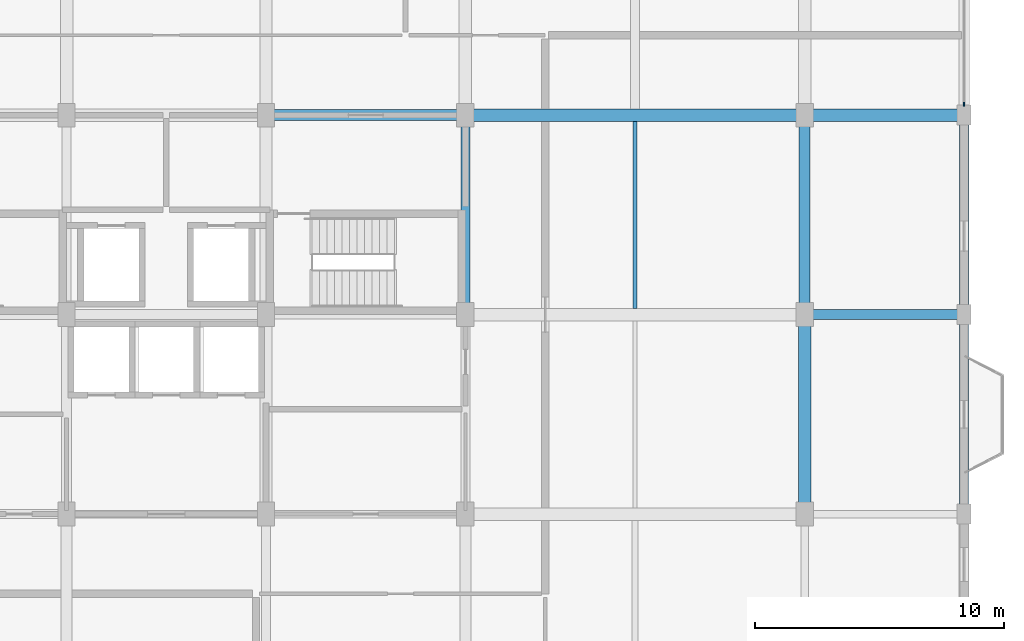
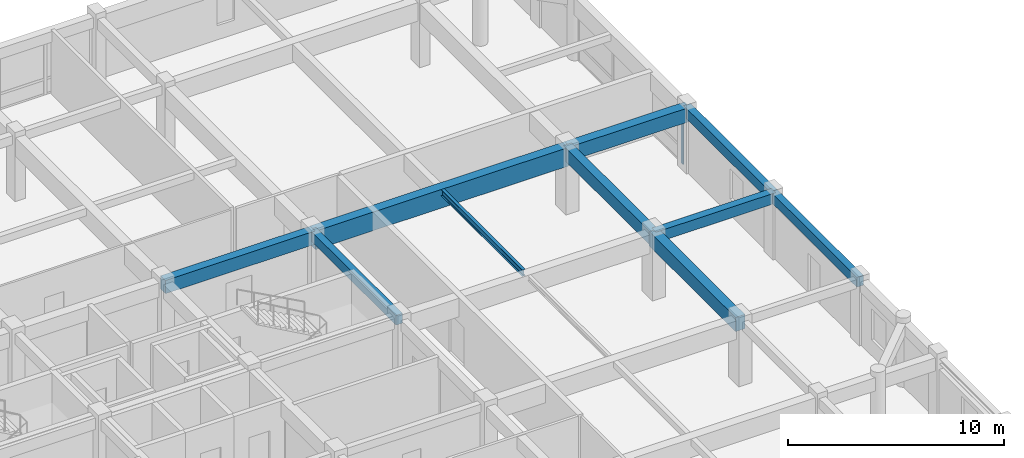
# One storey, part 5 of 15: 10 beams, 1 member, 1 element without a shape of its own.
"""IFC4 building model written with IfcOpenShell, lengths in metres."""

import ifcopenshell
import ifcopenshell.guid

model = None  # the IFC model being written
_history = None  # IfcOwnerHistory: only IFC2X3 demands one
_inside = {}  # id of a spatial element -> (the spatial element, [elements in it])
_under = {}  # id of a project, library or spatial element -> (it, [spatial elements below it])
_declared = {}  # id of a project -> (the project, [libraries it declares])
_typed = {}  # id of a type object -> (the type object, [elements of that type])
_made_of = {}  # id of a material, layer set ... -> (it, [elements and type objects made of it])


def new_model(schema):
    """Start an empty IFC model of exactly this schema.

    Asked for "IFC4X3", IfcOpenShell would pick the latest addendum, in which some entities
    have other attributes; the version numbers below select the first issue.
    IFC2X3 requires an IfcOwnerHistory on every rooted entity: one is made here for all.
    """
    global model, _history
    if schema == "IFC4X3":
        model = ifcopenshell.file(schema_version=(4, 3, 0, 0))
    else:
        model = ifcopenshell.file(schema=schema)
    _inside.clear()
    _under.clear()
    _declared.clear()
    _typed.clear()
    _made_of.clear()
    _history = None
    if model.schema == "IFC2X3":
        org = make("IfcOrganization", Name="unknown")
        user = make(
            "IfcPersonAndOrganization",
            ThePerson=make("IfcPerson", FamilyName="unknown"),
            TheOrganization=org,
        )
        app = make(
            "IfcApplication",
            ApplicationDeveloper=org,
            Version="unknown",
            ApplicationFullName="unknown",
            ApplicationIdentifier="unknown",
        )
        _history = make(
            "IfcOwnerHistory",
            OwningUser=user,
            OwningApplication=app,
            ChangeAction="ADDED",
            CreationDate=0,
        )
    return model


def make(cls, **values):
    """One entity of the class cls with the attributes given. An attribute that is None is left unset."""
    return model.create_entity(
        cls, **{name: value for name, value in values.items() if value is not None}
    )


def rooted(cls, **values):
    """An entity with a GlobalId (a new one), such as an element, a storey or a relation."""
    return make(cls, GlobalId=ifcopenshell.guid.new(), OwnerHistory=_history, **values)


def si_unit(unit_type, name, prefix=None):
    """IfcSIUnit, for example si_unit("LENGTHUNIT", "METRE", prefix="MILLI")."""
    return make("IfcSIUnit", UnitType=unit_type, Prefix=prefix, Name=name)


def assignment(units):
    """IfcUnitAssignment: the units of a project."""
    return None if units is None else make("IfcUnitAssignment", Units=units)


def point(xyz):
    """IfcCartesianPoint."""
    return None if xyz is None else make("IfcCartesianPoint", Coordinates=xyz)


def direction(xyz):
    """IfcDirection."""
    return None if xyz is None else make("IfcDirection", DirectionRatios=xyz)


def frame(location, z_axis=None, x_axis=None):
    """IfcAxis2Placement3D, a coordinate frame: its origin and axes. An axis left out is left unset."""
    return make(
        "IfcAxis2Placement3D",
        Location=point(location),
        Axis=direction(z_axis),
        RefDirection=direction(x_axis),
    )


def frame_2d(location, x_axis=None):
    """IfcAxis2Placement2D, a coordinate frame in the plane: its origin and x axis."""
    return make(
        "IfcAxis2Placement2D", Location=point(location), RefDirection=direction(x_axis)
    )


def origin():
    """The frame at (0, 0, 0) with its axes left unset."""
    return frame((0.0, 0.0, 0.0))


def origin_2d():
    """The frame at (0, 0) in the plane with its x axis left unset."""
    return frame_2d((0.0, 0.0))


def place(relative_to, where):
    """IfcLocalPlacement: puts the frame where relative to a parent placement (None: the world)."""
    return make(
        "IfcLocalPlacement", PlacementRelTo=relative_to, RelativePlacement=where
    )


def context(
    kind, dimensions, precision=None, world=None, true_north=None, identifier=None
):
    """IfcGeometricRepresentationContext, for example the 3D "Model" context."""
    return make(
        "IfcGeometricRepresentationContext",
        ContextIdentifier=identifier,
        ContextType=kind,
        CoordinateSpaceDimension=dimensions,
        Precision=precision,
        WorldCoordinateSystem=world,
        TrueNorth=true_north,
    )


def subcontext(parent, identifier, kind, view, scale=None):
    """IfcGeometricRepresentationSubContext, for example "Body" below "Model"."""
    return make(
        "IfcGeometricRepresentationSubContext",
        ContextIdentifier=identifier,
        ContextType=kind,
        ParentContext=parent,
        TargetScale=scale,
        TargetView=view,
    )


def project(units=None, contexts=None):
    """IfcProject with its units and contexts."""
    return rooted(
        "IfcProject",
        Name="project",
        RepresentationContexts=contexts,
        UnitsInContext=assignment(units),
    )


def spatial(cls, under=None, at=None, **own):
    """A site, building, storey or space (cls), placed at a placement, below another one or the project."""
    s = rooted(cls, ObjectPlacement=at, **own)
    if under is not None:
        _under.setdefault(under.id(), (under, []))[1].append(s)
    return s


def profile(cls, at=None, kind="AREA", **sizes):
    """A parametric profile (cls). Its sizes go by their IFC names, for example OverallWidth=200.0."""
    return make(cls, ProfileType=kind, Position=at, **sizes)


def rectangle(**sizes):
    """IfcRectangleProfileDef."""
    return profile("IfcRectangleProfileDef", **sizes)


def i_section(**sizes):
    """IfcIShapeProfileDef."""
    return profile("IfcIShapeProfileDef", **sizes)


def extrude(swept, where, along, depth):
    """IfcExtrudedAreaSolid: the profile swept, set in the frame where, extruded along a direction by depth."""
    return make(
        "IfcExtrudedAreaSolid",
        SweptArea=swept,
        Position=where,
        ExtrudedDirection=direction(along),
        Depth=depth,
    )


def shape(context_of_items, identifier, shape_type, items):
    """IfcShapeRepresentation: the items that make up one representation, for example the "Body"."""
    return make(
        "IfcShapeRepresentation",
        ContextOfItems=context_of_items,
        RepresentationIdentifier=identifier,
        RepresentationType=shape_type,
        Items=items,
    )


def material(Name=None, Category=None):
    """IfcMaterial."""
    return make("IfcMaterial", Name=Name, Category=Category)


def material_profile(
    of_material, cross_section, Name=None, Category=None, Priority=None
):
    """IfcMaterialProfile: a cross section and its material."""
    return make(
        "IfcMaterialProfile",
        Name=Name,
        Material=of_material,
        Profile=cross_section,
        Priority=Priority,
        Category=Category,
    )


def profile_set(profiles, Name=None, composite=None):
    """IfcMaterialProfileSet."""
    return make(
        "IfcMaterialProfileSet",
        Name=Name,
        MaterialProfiles=profiles,
        CompositeProfile=composite,
    )


def made_of(thing, what):
    """Note that an element or type object is made of a material, layer set ...; save() writes the relation."""
    if what is not None:
        _made_of.setdefault(what.id(), (what, []))[1].append(thing)
    return thing


def type_object(cls, material=None, **own):
    """A type object (cls), such as IfcWallType, which elements share."""
    return made_of(rooted(cls, **own), material)


def element(
    cls,
    number,
    at=None,
    inside=None,
    cuts=None,
    type_object=None,
    material=None,
    context=None,
    identifier="Body",
    shape_type=None,
    held_by="IfcProductDefinitionShape",
    body=None,
    shapes=None,
    **own,
):
    """One element of the class cls, such as IfcWall. Its Tag is "e" and its number.

    at: its placement. inside: the storey or other place that contains it. cuts: it is an
    opening in that element (IfcRelVoidsElement). A single representation is given by context,
    identifier, shape_type and body (its items); several are given by shapes. held_by: the class
    of the entity that holds the representations. save() writes the other relations.
    """
    e = rooted(cls, Tag="e%d" % number, ObjectPlacement=at, **own)
    if body is not None:
        shapes = [shape(context, identifier, shape_type, body)]
    if shapes is not None:
        e.Representation = make(held_by, Representations=shapes)
    if inside is not None:
        _inside.setdefault(inside.id(), (inside, []))[1].append(e)
    if cuts is not None:
        rooted(
            "IfcRelVoidsElement", RelatingBuildingElement=cuts, RelatedOpeningElement=e
        )
    if type_object is not None:
        _typed.setdefault(type_object.id(), (type_object, []))[1].append(e)
    return made_of(e, material)


def aggregate(whole, parts):
    """IfcRelAggregates: a whole, such as a stair, and the parts it consists of."""
    return rooted("IfcRelAggregates", RelatingObject=whole, RelatedObjects=parts)


def save(model, path):
    """Write the relations noted so far, then the file.

    IfcRelAggregates (storeys below a building ...), IfcRelContainedInSpatialStructure (elements
    in a storey), IfcRelDefinesByType, IfcRelAssociatesMaterial and IfcRelDeclares: one each for
    every whole, place, type object, material and project.
    """
    for whole, parts in _under.values():
        aggregate(whole, parts)
    for where, things in _inside.values():
        rooted(
            "IfcRelContainedInSpatialStructure",
            RelatedElements=things,
            RelatingStructure=where,
        )
    for kind, things in _typed.values():
        rooted("IfcRelDefinesByType", RelatedObjects=things, RelatingType=kind)
    for what, things in _made_of.values():
        rooted("IfcRelAssociatesMaterial", RelatedObjects=things, RelatingMaterial=what)
    for by, libraries in _declared.values():
        rooted("IfcRelDeclares", RelatingContext=by, RelatedDefinitions=libraries)
    model.write(path)


model = new_model("IFC4")

# Units and contexts
model_context = context("Model", 3, precision=1e-05, world=origin(), true_north=direction((0.0, 1.0)))
body_context = subcontext(model_context, "Body", "Model", "MODEL_VIEW")
ifc_project = project(units=[si_unit("LENGTHUNIT", "METRE"), si_unit("AREAUNIT", "SQUARE_METRE"), si_unit("VOLUMEUNIT", "CUBIC_METRE"), si_unit("PLANEANGLEUNIT", "RADIAN"), si_unit("MASSUNIT", "GRAM", prefix="KILO")], contexts=[model_context])

# Site, building, storey
site_placement = place(None, origin())
site = spatial("IfcSite", under=ifc_project, at=site_placement, CompositionType="ELEMENT")
building_placement = place(site_placement, origin())
building = spatial("IfcBuilding", under=site, at=building_placement, Name="Vellmiral Cinema and Media Centre", CompositionType="ELEMENT")
storey_placement = place(building_placement, frame((0.0, 0.0, 35.60009765625)))
storey = spatial("IfcBuildingStorey", under=building, at=storey_placement, Name="L08", CompositionType="ELEMENT", Elevation=35.60009765625)

# Beams
ifc_material_1 = material(Name="Concrete C40/50", Category="concrete")
ifc_material_profile_1 = material_profile(ifc_material_1, rectangle(XDim=0.35009765625, YDim=0.550048828125, at=origin_2d()), Name="RC 350x550")
ifc_profile_set_1 = profile_set([ifc_material_profile_1], Name="Concrete C40/50")
beam_type_1 = type_object("IfcBeamType", Name="BM-RC-350x550", PredefinedType="BEAM", material=ifc_profile_set_1)
beam_1_placement = place(storey_placement, frame((148.0, 87.199951171875, 3.31982421875), z_axis=(0.0, 1.0, 0.0), x_axis=(-1.0, 0.0, 0.0)))
element("IfcBeam", 1, at=beam_1_placement, inside=storey, type_object=beam_type_1, Name="Grid Beam L08-Y082", PredefinedType="BEAM", context=body_context, shape_type="SweptSolid", body=[
    extrude(rectangle(XDim=0.35009765625, YDim=0.550048828125, at=origin_2d()), origin(), (0.0, 0.0, 1.0), 8.0),
])
ifc_material_2 = material(Name="Concrete C40/50", Category="concrete")
ifc_material_profile_2 = material_profile(ifc_material_2, rectangle(XDim=0.39990234375, YDim=0.60009765625, at=origin_2d()), Name="RC 400x600")
ifc_profile_set_2 = profile_set([ifc_material_profile_2], Name="Concrete C40/50")
beam_type_2 = type_object("IfcBeamType", Name="BM-RC-400x600", PredefinedType="BEAM", material=ifc_profile_set_2)
beam_2_placement = place(storey_placement, frame((161.60009765625, 87.199951171875, 3.294921875), z_axis=(1.0, 0.0, 0.0), x_axis=(0.0, 1.0, 0.0)))
element("IfcBeam", 2, at=beam_2_placement, inside=storey, type_object=beam_type_2, Name="Grid Beam L08-X028", PredefinedType="BEAM", context=body_context, shape_type="SweptSolid", body=[
    extrude(rectangle(XDim=0.39990234375, YDim=0.60009765625, at=origin_2d()), origin(), (0.0, 0.0, 1.0), 6.39990234375),
])
ifc_material_3 = material(Name="Concrete C40/50", Category="concrete")
ifc_material_profile_3 = material_profile(ifc_material_3, rectangle(XDim=0.449951171875, YDim=0.75, at=origin_2d()), Name="RC 450x750")
ifc_profile_set_3 = profile_set([ifc_material_profile_3], Name="Concrete C40/50")
beam_type_3 = type_object("IfcBeamType", Name="BM-RC-450x750", PredefinedType="BEAM", material=ifc_profile_set_3)
for number, where, z_axis, x_axis, name in (
    (3, (140.0, 95.199951171875, 3.219970703125), (1.0, 0.0, 0.0), (0.0, 1.0, 0.0), "Grid Beam L08-X033"),
    (4, (161.60009765625, 87.199951171875, 3.219970703125), (0.0, 1.0, 0.0), (-1.0, 0.0, 0.0), "Grid Beam L08-Y088"),
):
    element("IfcBeam", number, at=place(storey_placement, frame(where, z_axis=z_axis, x_axis=x_axis)), inside=storey, type_object=beam_type_3, Name=name, PredefinedType="BEAM", context=body_context, shape_type="SweptSolid", body=[
        extrude(rectangle(XDim=0.449951171875, YDim=0.75, at=origin_2d()), origin(), (0.0, 0.0, 1.0), 8.0),
    ])
ifc_material_4 = material(Name="Concrete C40/50", Category="concrete")
ifc_material_profile_4 = material_profile(ifc_material_4, rectangle(XDim=0.5, YDim=0.800048828125, at=origin_2d()), Name="RC 500x800")
ifc_profile_set_4 = profile_set([ifc_material_profile_4], Name="Concrete C40/50")
beam_type_4 = type_object("IfcBeamType", Name="BM-RC-500x800", PredefinedType="BEAM", material=ifc_profile_set_4)
beam_3_placement = place(storey_placement, frame((161.60009765625, 95.199951171875, 3.19482421875), z_axis=(1.0, 0.0, 0.0), x_axis=(0.0, 1.0, 0.0)))
element("IfcBeam", 5, at=beam_3_placement, inside=storey, type_object=beam_type_4, Name="Grid Beam L08-X035", PredefinedType="BEAM", context=body_context, shape_type="SweptSolid", body=[
    extrude(rectangle(XDim=0.5, YDim=0.800048828125, at=origin_2d()), origin(), (0.0, 0.0, 1.0), 6.39990234375),
])
beam_4_placement = place(storey_placement, frame((161.60009765625, 79.199951171875, 3.19482421875), z_axis=(0.0, 1.0, 0.0), x_axis=(-1.0, 0.0, 0.0)))
element("IfcBeam", 6, at=beam_4_placement, inside=storey, type_object=beam_type_4, Name="Grid Beam L08-Y087", PredefinedType="BEAM", context=body_context, shape_type="SweptSolid", body=[
    extrude(rectangle(XDim=0.5, YDim=0.800048828125, at=origin_2d()), origin(), (0.0, 0.0, 1.0), 8.0),
])
ifc_material_5 = material(Name="Concrete C40/50", Category="concrete")
ifc_material_profile_5 = material_profile(ifc_material_5, rectangle(XDim=0.5, YDim=1.050048828125, at=origin_2d()), Name="RC 500x1050")
ifc_profile_set_5 = profile_set([ifc_material_profile_5], Name="Concrete C40/50")
beam_type_5 = type_object("IfcBeamType", Name="BM-RCG-500x1050", PredefinedType="BEAM", material=ifc_profile_set_5)
beam_5_placement = place(storey_placement, frame((148.0, 95.199951171875, 3.06982421875), z_axis=(1.0, 0.0, 0.0), x_axis=(0.0, 1.0, 0.0)))
element("IfcBeam", 7, at=beam_5_placement, inside=storey, type_object=beam_type_5, Name="Grid Beam L08-X034", PredefinedType="BEAM", context=body_context, shape_type="SweptSolid", body=[
    extrude(rectangle(XDim=0.5, YDim=1.050048828125, at=origin_2d()), origin(), (0.0, 0.0, 1.0), 13.60009765625),
])

# Curtain wall, member
ifc_material_6 = material(Name="Thermally Broken Aluminium and Triple Glazing", Category="aluminium")
curtain_wall_type = type_object("IfcCurtainWallType", Name="CW-TOWER-LOW-S", PredefinedType="USERDEFINED", material=ifc_material_6)
curtain_wall_placement = place(storey_placement, origin())
curtain_wall = element("IfcCurtainWall", 8, at=curtain_wall_placement, inside=storey, type_object=curtain_wall_type, Name="Curtain Wall L08-B013", ObjectType="UNITISED CURTAIN WALL", PredefinedType="USERDEFINED")
ifc_material_7 = material(Name="Thermally Broken Anodised Aluminium", Category="aluminium")
ifc_material_profile_6 = material_profile(ifc_material_7, rectangle(XDim=0.06494140625, YDim=0.159912109375, at=origin_2d()), Name="MULL 65x160")
ifc_profile_set_6 = profile_set([ifc_material_profile_6], Name="Thermally Broken Anodised Aluminium")
member_type = type_object("IfcMemberType", Name="CWM-65x160", PredefinedType="MULLION", material=ifc_profile_set_6)
member_placement = place(storey_placement, frame((168.0, 95.632568359375, 0.0), z_axis=(0.0, 0.0, 1.0), x_axis=(-1.0, 0.0, 0.0)))
member = element("IfcMember", 9, at=member_placement, type_object=member_type, Name="CW-06 mullion 1", PredefinedType="MULLION", context=body_context, shape_type="SweptSolid", body=[
    extrude(rectangle(XDim=0.06494140625, YDim=0.159912109375, at=origin_2d()), origin(), (0.0, 0.0, 1.0), 2.5849609375),
])
aggregate(curtain_wall, [member])

# Beams
ifc_material_8 = material(Name="Steel S355", Category="steel")
ifc_material_profile_7 = material_profile(ifc_material_8, i_section(OverallWidth=0.169921875, OverallDepth=0.360107421875, WebThickness=0.008056640625, FlangeThickness=0.0126953125, FilletRadius=0.01806640625, at=origin_2d()), Name="IPE 360")
ifc_profile_set_7 = profile_set([ifc_material_profile_7], Name="Steel S355")
beam_type_6 = type_object("IfcBeamType", Name="SBM-IPE360", PredefinedType="JOIST", material=ifc_profile_set_7)
beam_6_placement = place(storey_placement, frame((154.800048828125, 87.449951171875, 3.414794921875), z_axis=(0.0, 1.0, 0.0), x_axis=(-1.0, 0.0, 0.0)))
element("IfcBeam", 10, at=beam_6_placement, inside=storey, type_object=beam_type_6, Name="Secondary Floor Joist L08-009", PredefinedType="JOIST", context=body_context, shape_type="SweptSolid", body=[
    extrude(i_section(OverallWidth=0.169921875, OverallDepth=0.360107421875, WebThickness=0.008056640625, FlangeThickness=0.0126953125, FilletRadius=0.01806640625, at=origin_2d()), origin(), (0.0, 0.0, 1.0), 7.5),
])
ifc_material_9 = material(Name="Concrete C40/50", Category="concrete")
ifc_material_profile_8 = material_profile(ifc_material_9, rectangle(XDim=0.35009765625, YDim=0.56005859375, at=origin_2d()), Name="RC 350x560")
ifc_profile_set_8 = profile_set([ifc_material_profile_8], Name="Concrete C40/50")
beam_type_7 = type_object("IfcBeamType", Name="SPD-RC-350x560", PredefinedType="SPANDREL", material=ifc_profile_set_8)
beam_7_placement = place(storey_placement, frame((168.0, 79.199951171875, 3.31494140625), z_axis=(0.0, 1.0, 0.0), x_axis=(-1.0, 0.0, 0.0)))
element("IfcBeam", 11, at=beam_7_placement, inside=storey, type_object=beam_type_7, Name="Grid Beam L08-Y093", PredefinedType="SPANDREL", context=body_context, shape_type="SweptSolid", body=[
    extrude(rectangle(XDim=0.35009765625, YDim=0.56005859375, at=origin_2d()), origin(), (0.0, 0.0, 1.0), 8.0),
])
ifc_material_10 = material(Name="Vosges Red Sandstone Masonry", Category="masonry")
ifc_material_profile_9 = material_profile(ifc_material_10, rectangle(XDim=0.3798828125, YDim=0.580078125, at=origin_2d()), Name="SAND 380x580")
ifc_profile_set_9 = profile_set([ifc_material_profile_9], Name="Vosges Red Sandstone Masonry")
beam_type_8 = type_object("IfcBeamType", Name="SPD-SAND-380x580", PredefinedType="SPANDREL", material=ifc_profile_set_9)
beam_8_placement = place(storey_placement, frame((168.0, 87.199951171875, 3.304931640625), z_axis=(0.0, 1.0, 0.0), x_axis=(-1.0, 0.0, 0.0)))
element("IfcBeam", 12, at=beam_8_placement, inside=storey, type_object=beam_type_8, Name="Grid Beam L08-Y094", PredefinedType="SPANDREL", context=body_context, shape_type="SweptSolid", body=[
    extrude(rectangle(XDim=0.3798828125, YDim=0.580078125, at=origin_2d()), origin(), (0.0, 0.0, 1.0), 8.0),
])

save(model, "model.ifc")
